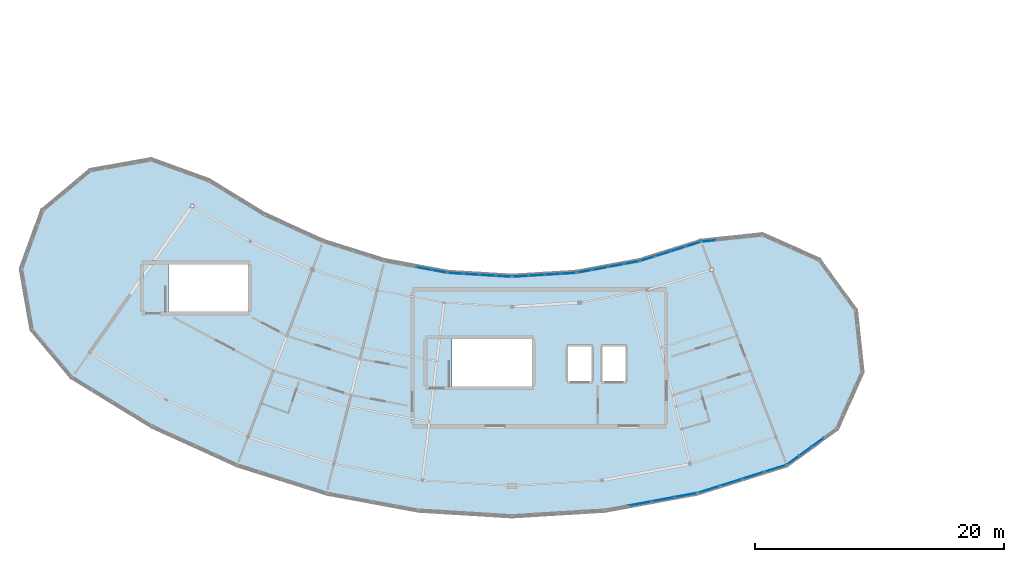
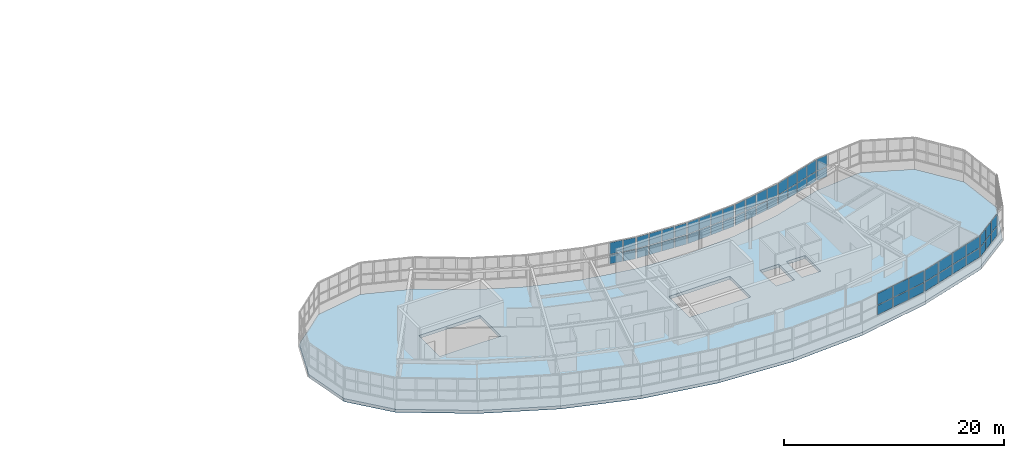
# One storey, part 39 of 60: 58 plates, 1 slab, 9 elements without a shape of their own.
"""IFC4 building model written with IfcOpenShell, lengths in metres."""

from ifc_helpers import new_model, si_unit, direction, frame, origin, origin_2d, place, context, subcontext, project, spatial, polyline, rectangle, outline, extrude, material, layer, layer_set, type_object, element, aggregate, save


model = new_model("IFC4")

# Units and contexts
model_context = context("Model", 3, precision=1e-05, world=origin(), true_north=direction((0.0, 1.0)))
body_context = subcontext(model_context, "Body", "Model", "MODEL_VIEW")
ifc_project = project(units=[si_unit("LENGTHUNIT", "METRE"), si_unit("AREAUNIT", "SQUARE_METRE"), si_unit("VOLUMEUNIT", "CUBIC_METRE"), si_unit("PLANEANGLEUNIT", "RADIAN"), si_unit("MASSUNIT", "GRAM", prefix="KILO")], contexts=[model_context])

# Site, building, storey
site_placement = place(None, origin())
site = spatial("IfcSite", under=ifc_project, at=site_placement, CompositionType="ELEMENT")
building_placement = place(site_placement, origin())
building = spatial("IfcBuilding", under=site, at=building_placement, Name="Tarnwether General Hospital", CompositionType="ELEMENT")
storey_placement = place(building_placement, frame((0.0, 0.0, 26.10009765625)))
storey = spatial("IfcBuildingStorey", under=building, at=storey_placement, Name="L06", CompositionType="ELEMENT", Elevation=26.10009765625)

# Curtain wall, plates
ifc_material_1 = material(Name="Anodised aluminium", Category="aluminium")
ifc_layer_1 = layer(ifc_material_1, 0.179931640625)
ifc_layer_set_1 = layer_set([ifc_layer_1], Name="Anodised aluminium")
curtain_wall_type_1 = type_object("IfcCurtainWallType", Name="CW-11", PredefinedType="NOTDEFINED", material=ifc_layer_set_1)
curtain_wall_1_placement = place(storey_placement, origin())
curtain_wall_1 = element("IfcCurtainWall", 1, at=curtain_wall_1_placement, inside=storey, type_object=curtain_wall_type_1, Name="Curtain Wall CWG-L06-1141_55-0252", PredefinedType="NOTDEFINED")
ifc_material_2 = material(Name="Double glazed low-E glass", Category="glass")
ifc_layer_2 = layer(ifc_material_2, 0.028076171875)
ifc_layer_set_2 = layer_set([ifc_layer_2], Name="Double glazed low-E glass")
plate_type_1 = type_object("IfcPlateType", Name="PT-CWP1", PredefinedType="CURTAIN_PANEL", material=ifc_layer_set_2)
plate_1_placement = place(storey_placement, frame((113.1591796875, 5.202392578125, 1.1298828125), z_axis=(0.0, 0.0, 1.0), x_axis=(-0.953741284032, -0.300628613299, 0.0)))
plate_1 = element("IfcPlate", 2, at=plate_1_placement, type_object=plate_type_1, Name="CW-11 panel 1.1", PredefinedType="CURTAIN_PANEL", context=body_context, shape_type="SweptSolid", body=[
    extrude(rectangle(XDim=1.76025390625, YDim=0.028076171875, at=origin_2d()), origin(), (0.0, 0.0, 1.0), 1.002685546875),
])
plate_2_placement = place(storey_placement, frame((113.1591796875, 5.202392578125, 2.212890625), z_axis=(0.0, 0.0, 1.0), x_axis=(-0.953741284032, -0.300628613299, 0.0)))
plate_2 = element("IfcPlate", 3, at=plate_2_placement, type_object=plate_type_1, Name="CW-11 panel 1.2", PredefinedType="CURTAIN_PANEL", context=body_context, shape_type="SweptSolid", body=[
    extrude(rectangle(XDim=1.76025390625, YDim=0.028076171875, at=origin_2d()), origin(), (0.0, 0.0, 1.0), 1.252197265625),
])
plate_3_placement = place(storey_placement, frame((111.385009765625, 4.64306640625, 1.1298828125), z_axis=(0.0, 0.0, 1.0), x_axis=(-0.953741284032, -0.300628613299, 0.0)))
plate_3 = element("IfcPlate", 4, at=plate_3_placement, type_object=plate_type_1, Name="CW-11 panel 2.1", PredefinedType="CURTAIN_PANEL", context=body_context, shape_type="SweptSolid", body=[
    extrude(rectangle(XDim=1.80029296875, YDim=0.028076171875, at=origin_2d()), origin(), (0.0, 0.0, 1.0), 1.002685546875),
])
plate_4_placement = place(storey_placement, frame((111.385009765625, 4.64306640625, 2.212890625), z_axis=(0.0, 0.0, 1.0), x_axis=(-0.953741284032, -0.300628613299, 0.0)))
plate_4 = element("IfcPlate", 5, at=plate_4_placement, type_object=plate_type_1, Name="CW-11 panel 2.2", PredefinedType="CURTAIN_PANEL", context=body_context, shape_type="SweptSolid", body=[
    extrude(rectangle(XDim=1.80029296875, YDim=0.028076171875, at=origin_2d()), origin(), (0.0, 0.0, 1.0), 1.252197265625),
])
plate_5_placement = place(storey_placement, frame((109.591796875, 4.077880859375, 1.1298828125), z_axis=(0.0, 0.0, 1.0), x_axis=(-0.953741284032, -0.300628613299, 0.0)))
plate_5 = element("IfcPlate", 6, at=plate_5_placement, type_object=plate_type_1, Name="CW-11 panel 3.1", PredefinedType="CURTAIN_PANEL", context=body_context, shape_type="SweptSolid", body=[
    extrude(rectangle(XDim=1.80029296875, YDim=0.028076171875, at=origin_2d()), origin(), (0.0, 0.0, 1.0), 1.002685546875),
])
plate_6_placement = place(storey_placement, frame((109.591796875, 4.077880859375, 2.212890625), z_axis=(0.0, 0.0, 1.0), x_axis=(-0.953741284032, -0.300628613299, 0.0)))
plate_6 = element("IfcPlate", 7, at=plate_6_placement, type_object=plate_type_1, Name="CW-11 panel 3.2", PredefinedType="CURTAIN_PANEL", context=body_context, shape_type="SweptSolid", body=[
    extrude(rectangle(XDim=1.80029296875, YDim=0.028076171875, at=origin_2d()), origin(), (0.0, 0.0, 1.0), 1.252197265625),
])
plate_7_placement = place(storey_placement, frame((107.817626953125, 3.5185546875, 1.1298828125), z_axis=(0.0, 0.0, 1.0), x_axis=(-0.953741284032, -0.300628613299, 0.0)))
plate_7 = element("IfcPlate", 8, at=plate_7_placement, type_object=plate_type_1, Name="CW-11 panel 4.1", PredefinedType="CURTAIN_PANEL", context=body_context, shape_type="SweptSolid", body=[
    extrude(rectangle(XDim=1.76025390625, YDim=0.028076171875, at=origin_2d()), origin(), (0.0, 0.0, 1.0), 1.002685546875),
])
plate_8_placement = place(storey_placement, frame((107.817626953125, 3.5185546875, 2.212890625), z_axis=(0.0, 0.0, 1.0), x_axis=(-0.953741284032, -0.300628613299, 0.0)))
plate_8 = element("IfcPlate", 9, at=plate_8_placement, type_object=plate_type_1, Name="CW-11 panel 4.2", PredefinedType="CURTAIN_PANEL", context=body_context, shape_type="SweptSolid", body=[
    extrude(rectangle(XDim=1.76025390625, YDim=0.028076171875, at=origin_2d()), origin(), (0.0, 0.0, 1.0), 1.252197265625),
])
aggregate(curtain_wall_1, [plate_1, plate_2, plate_3, plate_4, plate_5, plate_6, plate_7, plate_8])

ifc_material_3 = material(Name="Anodised aluminium", Category="aluminium")
ifc_layer_3 = layer(ifc_material_3, 0.159912109375)
ifc_layer_set_3 = layer_set([ifc_layer_3], Name="Anodised aluminium")
curtain_wall_type_2 = type_object("IfcCurtainWallType", Name="CW-03", PredefinedType="NOTDEFINED", material=ifc_layer_set_3)
curtain_wall_2_placement = place(storey_placement, origin())
curtain_wall_2 = element("IfcCurtainWall", 10, at=curtain_wall_2_placement, inside=storey, type_object=curtain_wall_type_2, Name="Curtain Wall CWG-L06-1181_84-0253", PredefinedType="NOTDEFINED")
plate_9_placement = place(storey_placement, frame((116.588134765625, 7.316650390625, 1.10986328125), z_axis=(0.0, 0.0, 1.0), x_axis=(-0.809057896173, -0.587728951677, 0.0)))
plate_9 = element("IfcPlate", 11, at=plate_9_placement, type_object=plate_type_1, Name="CW-03 panel 2.1", PredefinedType="CURTAIN_PANEL", context=body_context, shape_type="SweptSolid", body=[
    extrude(rectangle(XDim=1.182373046875, YDim=0.028076171875, at=origin_2d()), origin(), (0.0, 0.0, 1.0), 1.03271484375),
])
plate_10_placement = place(storey_placement, frame((116.588134765625, 7.316650390625, 2.20263671875), z_axis=(0.0, 0.0, 1.0), x_axis=(-0.809057896173, -0.587728951677, 0.0)))
plate_10 = element("IfcPlate", 12, at=plate_10_placement, type_object=plate_type_1, Name="CW-03 panel 2.2", PredefinedType="CURTAIN_PANEL", context=body_context, shape_type="SweptSolid", body=[
    extrude(rectangle(XDim=1.182373046875, YDim=0.028076171875, at=origin_2d()), origin(), (0.0, 0.0, 1.0), 1.2822265625),
])
plate_11_placement = place(storey_placement, frame((115.582763671875, 6.58642578125, 1.10986328125), z_axis=(0.0, 0.0, 1.0), x_axis=(-0.809057896173, -0.587728951677, 0.0)))
plate_11 = element("IfcPlate", 13, at=plate_11_placement, type_object=plate_type_1, Name="CW-03 panel 3.1", PredefinedType="CURTAIN_PANEL", context=body_context, shape_type="SweptSolid", body=[
    extrude(rectangle(XDim=1.182373046875, YDim=0.028076171875, at=origin_2d()), origin(), (0.0, 0.0, 1.0), 1.03271484375),
])
plate_12_placement = place(storey_placement, frame((115.582763671875, 6.58642578125, 2.20263671875), z_axis=(0.0, 0.0, 1.0), x_axis=(-0.809057896173, -0.587728951677, 0.0)))
plate_12 = element("IfcPlate", 14, at=plate_12_placement, type_object=plate_type_1, Name="CW-03 panel 3.2", PredefinedType="CURTAIN_PANEL", context=body_context, shape_type="SweptSolid", body=[
    extrude(rectangle(XDim=1.182373046875, YDim=0.028076171875, at=origin_2d()), origin(), (0.0, 0.0, 1.0), 1.2822265625),
])
plate_13_placement = place(storey_placement, frame((114.58984375, 5.864990234375, 1.10986328125), z_axis=(0.0, 0.0, 1.0), x_axis=(-0.809057896173, -0.587728951677, 0.0)))
plate_13 = element("IfcPlate", 15, at=plate_13_placement, type_object=plate_type_1, Name="CW-03 panel 4.1", PredefinedType="CURTAIN_PANEL", context=body_context, shape_type="SweptSolid", body=[
    extrude(rectangle(XDim=1.152587890625, YDim=0.028076171875, at=origin_2d()), origin(), (0.0, 0.0, 1.0), 1.03271484375),
])
plate_14_placement = place(storey_placement, frame((114.58984375, 5.864990234375, 2.20263671875), z_axis=(0.0, 0.0, 1.0), x_axis=(-0.809057896173, -0.587728951677, 0.0)))
plate_14 = element("IfcPlate", 16, at=plate_14_placement, type_object=plate_type_1, Name="CW-03 panel 4.2", PredefinedType="CURTAIN_PANEL", context=body_context, shape_type="SweptSolid", body=[
    extrude(rectangle(XDim=1.152587890625, YDim=0.028076171875, at=origin_2d()), origin(), (0.0, 0.0, 1.0), 1.2822265625),
])
aggregate(curtain_wall_2, [plate_9, plate_10, plate_11, plate_12, plate_13, plate_14])

curtain_wall_3_placement = place(storey_placement, origin())
curtain_wall_3 = element("IfcCurtainWall", 17, at=curtain_wall_3_placement, inside=storey, type_object=curtain_wall_type_2, Name="Curtain Wall CWG-L06-1072_234-0258", PredefinedType="NOTDEFINED")
plate_15_placement = place(storey_placement, frame((107.830078125, 23.48291015625, 1.1201171875), z_axis=(0.0, 0.0, 1.0), x_axis=(0.994509862698, 0.104642883163, 0.0)))
plate_15 = element("IfcPlate", 18, at=plate_15_placement, type_object=plate_type_1, Name="CW-03 panel 1.1", PredefinedType="CURTAIN_PANEL", context=body_context, shape_type="SweptSolid", body=[
    extrude(rectangle(XDim=1.13720703125, YDim=0.028076171875, at=origin_2d()), origin(), (0.0, 0.0, 1.0), 1.017822265625),
])
plate_16_placement = place(storey_placement, frame((107.830078125, 23.48291015625, 2.207763671875), z_axis=(0.0, 0.0, 1.0), x_axis=(0.994509862698, 0.104642883163, 0.0)))
plate_16 = element("IfcPlate", 19, at=plate_16_placement, type_object=plate_type_1, Name="CW-03 panel 1.2", PredefinedType="CURTAIN_PANEL", context=body_context, shape_type="SweptSolid", body=[
    extrude(rectangle(XDim=1.13720703125, YDim=0.028076171875, at=origin_2d()), origin(), (0.0, 0.0, 1.0), 1.26708984375),
])
aggregate(curtain_wall_3, [plate_15, plate_16])

curtain_wall_4_placement = place(storey_placement, origin())
curtain_wall_4 = element("IfcCurtainWall", 20, at=curtain_wall_4_placement, inside=storey, type_object=curtain_wall_type_2, Name="Curtain Wall CWG-L06-1023_219-0259", PredefinedType="NOTDEFINED")
plate_17_placement = place(storey_placement, frame((102.8896484375, 22.05859375, 1.11474609375), z_axis=(0.0, 0.0, 1.0), x_axis=(0.953713927508, 0.30071538783, 0.0)))
plate_17 = element("IfcPlate", 21, at=plate_17_placement, type_object=plate_type_1, Name="CW-03 panel 1.1", PredefinedType="CURTAIN_PANEL", context=body_context, shape_type="SweptSolid", body=[
    extrude(rectangle(XDim=1.197021484375, YDim=0.028076171875, at=origin_2d()), origin(), (0.0, 0.0, 1.0), 1.025390625),
])
plate_18_placement = place(storey_placement, frame((102.8896484375, 22.05859375, 2.205078125), z_axis=(0.0, 0.0, 1.0), x_axis=(0.953713927508, 0.30071538783, 0.0)))
plate_18 = element("IfcPlate", 22, at=plate_18_placement, type_object=plate_type_1, Name="CW-03 panel 1.2", PredefinedType="CURTAIN_PANEL", context=body_context, shape_type="SweptSolid", body=[
    extrude(rectangle(XDim=1.197021484375, YDim=0.028076171875, at=origin_2d()), origin(), (0.0, 0.0, 1.0), 1.274658203125),
])
plate_19_placement = place(storey_placement, frame((104.108642578125, 22.44287109375, 1.11474609375), z_axis=(0.0, 0.0, 1.0), x_axis=(0.953713927508, 0.30071538783, 0.0)))
plate_19 = element("IfcPlate", 23, at=plate_19_placement, type_object=plate_type_1, Name="CW-03 panel 2.1", PredefinedType="CURTAIN_PANEL", context=body_context, shape_type="SweptSolid", body=[
    extrude(rectangle(XDim=1.2294921875, YDim=0.028076171875, at=origin_2d()), origin(), (0.0, 0.0, 1.0), 1.025390625),
])
plate_20_placement = place(storey_placement, frame((104.108642578125, 22.44287109375, 2.205078125), z_axis=(0.0, 0.0, 1.0), x_axis=(0.953713927508, 0.30071538783, 0.0)))
plate_20 = element("IfcPlate", 24, at=plate_20_placement, type_object=plate_type_1, Name="CW-03 panel 2.2", PredefinedType="CURTAIN_PANEL", context=body_context, shape_type="SweptSolid", body=[
    extrude(rectangle(XDim=1.2294921875, YDim=0.028076171875, at=origin_2d()), origin(), (0.0, 0.0, 1.0), 1.274658203125),
])
plate_21_placement = place(storey_placement, frame((105.34326171875, 22.83203125, 1.11474609375), z_axis=(0.0, 0.0, 1.0), x_axis=(0.953713927508, 0.30071538783, 0.0)))
plate_21 = element("IfcPlate", 25, at=plate_21_placement, type_object=plate_type_1, Name="CW-03 panel 3.1", PredefinedType="CURTAIN_PANEL", context=body_context, shape_type="SweptSolid", body=[
    extrude(rectangle(XDim=1.2294921875, YDim=0.028076171875, at=origin_2d()), origin(), (0.0, 0.0, 1.0), 1.025390625),
])
plate_22_placement = place(storey_placement, frame((105.34326171875, 22.83203125, 2.205078125), z_axis=(0.0, 0.0, 1.0), x_axis=(0.953713927508, 0.30071538783, 0.0)))
plate_22 = element("IfcPlate", 26, at=plate_22_placement, type_object=plate_type_1, Name="CW-03 panel 3.2", PredefinedType="CURTAIN_PANEL", context=body_context, shape_type="SweptSolid", body=[
    extrude(rectangle(XDim=1.2294921875, YDim=0.028076171875, at=origin_2d()), origin(), (0.0, 0.0, 1.0), 1.274658203125),
])
plate_23_placement = place(storey_placement, frame((106.562255859375, 23.216552734375, 1.11474609375), z_axis=(0.0, 0.0, 1.0), x_axis=(0.953713927508, 0.30071538783, 0.0)))
plate_23 = element("IfcPlate", 27, at=plate_23_placement, type_object=plate_type_1, Name="CW-03 panel 4.1", PredefinedType="CURTAIN_PANEL", context=body_context, shape_type="SweptSolid", body=[
    extrude(rectangle(XDim=1.197021484375, YDim=0.028076171875, at=origin_2d()), origin(), (0.0, 0.0, 1.0), 1.025390625),
])
plate_24_placement = place(storey_placement, frame((106.562255859375, 23.216552734375, 2.205078125), z_axis=(0.0, 0.0, 1.0), x_axis=(0.953713927508, 0.30071538783, 0.0)))
plate_24 = element("IfcPlate", 28, at=plate_24_placement, type_object=plate_type_1, Name="CW-03 panel 4.2", PredefinedType="CURTAIN_PANEL", context=body_context, shape_type="SweptSolid", body=[
    extrude(rectangle(XDim=1.197021484375, YDim=0.028076171875, at=origin_2d()), origin(), (0.0, 0.0, 1.0), 1.274658203125),
])
aggregate(curtain_wall_4, [plate_17, plate_18, plate_19, plate_20, plate_21, plate_22, plate_23, plate_24])

curtain_wall_5_placement = place(storey_placement, origin())
curtain_wall_5 = element("IfcCurtainWall", 29, at=curtain_wall_5_placement, inside=storey, type_object=curtain_wall_type_2, Name="Curtain Wall CWG-L06-920_206-0261", PredefinedType="NOTDEFINED")
plate_25_placement = place(storey_placement, frame((92.660888671875, 20.640380859375, 1.10986328125), z_axis=(0.0, 0.0, 1.0), x_axis=(0.998135119267, 0.06104329354, 0.0)))
plate_25 = element("IfcPlate", 30, at=plate_25_placement, type_object=plate_type_1, Name="CW-03 panel 1.1", PredefinedType="CURTAIN_PANEL", context=body_context, shape_type="SweptSolid", body=[
    extrude(rectangle(XDim=1.2041015625, YDim=0.028076171875, at=origin_2d()), origin(), (0.0, 0.0, 1.0), 1.03271484375),
])
plate_26_placement = place(storey_placement, frame((92.660888671875, 20.640380859375, 2.20263671875), z_axis=(0.0, 0.0, 1.0), x_axis=(0.998135119267, 0.06104329354, 0.0)))
plate_26 = element("IfcPlate", 31, at=plate_26_placement, type_object=plate_type_1, Name="CW-03 panel 1.2", PredefinedType="CURTAIN_PANEL", context=body_context, shape_type="SweptSolid", body=[
    extrude(rectangle(XDim=1.2041015625, YDim=0.028076171875, at=origin_2d()), origin(), (0.0, 0.0, 1.0), 1.2822265625),
])
plate_27_placement = place(storey_placement, frame((93.937744140625, 20.718505859375, 1.10986328125), z_axis=(0.0, 0.0, 1.0), x_axis=(0.998135119267, 0.06104329354, 0.0)))
plate_27 = element("IfcPlate", 32, at=plate_27_placement, type_object=plate_type_1, Name="CW-03 panel 2.1", PredefinedType="CURTAIN_PANEL", context=body_context, shape_type="SweptSolid", body=[
    extrude(rectangle(XDim=1.234130859375, YDim=0.028076171875, at=origin_2d()), origin(), (0.0, 0.0, 1.0), 1.03271484375),
])
plate_28_placement = place(storey_placement, frame((93.937744140625, 20.718505859375, 2.20263671875), z_axis=(0.0, 0.0, 1.0), x_axis=(0.998135119267, 0.06104329354, 0.0)))
plate_28 = element("IfcPlate", 33, at=plate_28_placement, type_object=plate_type_1, Name="CW-03 panel 2.2", PredefinedType="CURTAIN_PANEL", context=body_context, shape_type="SweptSolid", body=[
    extrude(rectangle(XDim=1.234130859375, YDim=0.028076171875, at=origin_2d()), origin(), (0.0, 0.0, 1.0), 1.2822265625),
])
plate_29_placement = place(storey_placement, frame((95.2294921875, 20.797607421875, 1.10986328125), z_axis=(0.0, 0.0, 1.0), x_axis=(0.998135119267, 0.06104329354, 0.0)))
plate_29 = element("IfcPlate", 34, at=plate_29_placement, type_object=plate_type_1, Name="CW-03 panel 3.1", PredefinedType="CURTAIN_PANEL", context=body_context, shape_type="SweptSolid", body=[
    extrude(rectangle(XDim=1.234130859375, YDim=0.028076171875, at=origin_2d()), origin(), (0.0, 0.0, 1.0), 1.03271484375),
])
plate_30_placement = place(storey_placement, frame((95.2294921875, 20.797607421875, 2.20263671875), z_axis=(0.0, 0.0, 1.0), x_axis=(0.998135119267, 0.06104329354, 0.0)))
plate_30 = element("IfcPlate", 35, at=plate_30_placement, type_object=plate_type_1, Name="CW-03 panel 3.2", PredefinedType="CURTAIN_PANEL", context=body_context, shape_type="SweptSolid", body=[
    extrude(rectangle(XDim=1.234130859375, YDim=0.028076171875, at=origin_2d()), origin(), (0.0, 0.0, 1.0), 1.2822265625),
])
plate_31_placement = place(storey_placement, frame((96.506103515625, 20.87548828125, 1.10986328125), z_axis=(0.0, 0.0, 1.0), x_axis=(0.998135119267, 0.06104329354, 0.0)))
plate_31 = element("IfcPlate", 36, at=plate_31_placement, type_object=plate_type_1, Name="CW-03 panel 4.1", PredefinedType="CURTAIN_PANEL", context=body_context, shape_type="SweptSolid", body=[
    extrude(rectangle(XDim=1.2041015625, YDim=0.028076171875, at=origin_2d()), origin(), (0.0, 0.0, 1.0), 1.03271484375),
])
plate_32_placement = place(storey_placement, frame((96.506103515625, 20.87548828125, 2.20263671875), z_axis=(0.0, 0.0, 1.0), x_axis=(0.998135119267, 0.06104329354, 0.0)))
plate_32 = element("IfcPlate", 37, at=plate_32_placement, type_object=plate_type_1, Name="CW-03 panel 4.2", PredefinedType="CURTAIN_PANEL", context=body_context, shape_type="SweptSolid", body=[
    extrude(rectangle(XDim=1.2041015625, YDim=0.028076171875, at=origin_2d()), origin(), (0.0, 0.0, 1.0), 1.2822265625),
])
aggregate(curtain_wall_5, [plate_25, plate_26, plate_27, plate_28, plate_29, plate_30, plate_31, plate_32])

curtain_wall_6_placement = place(storey_placement, origin())
curtain_wall_6 = element("IfcCurtainWall", 38, at=curtain_wall_6_placement, inside=storey, type_object=curtain_wall_type_2, Name="Curtain Wall CWG-L06-868_209-0262", PredefinedType="NOTDEFINED")
plate_33_placement = place(storey_placement, frame((87.496337890625, 20.87548828125, 1.1201171875), z_axis=(0.0, 0.0, 1.0), x_axis=(0.998135119267, -0.06104329354, 0.0)))
plate_33 = element("IfcPlate", 39, at=plate_33_placement, type_object=plate_type_1, Name="CW-03 panel 1.1", PredefinedType="CURTAIN_PANEL", context=body_context, shape_type="SweptSolid", body=[
    extrude(rectangle(XDim=1.189208984375, YDim=0.028076171875, at=origin_2d()), origin(), (0.0, 0.0, 1.0), 1.017822265625),
])
plate_34_placement = place(storey_placement, frame((87.496337890625, 20.87548828125, 2.207763671875), z_axis=(0.0, 0.0, 1.0), x_axis=(0.998135119267, -0.06104329354, 0.0)))
plate_34 = element("IfcPlate", 40, at=plate_34_placement, type_object=plate_type_1, Name="CW-03 panel 1.2", PredefinedType="CURTAIN_PANEL", context=body_context, shape_type="SweptSolid", body=[
    extrude(rectangle(XDim=1.189208984375, YDim=0.028076171875, at=origin_2d()), origin(), (0.0, 0.0, 1.0), 1.26708984375),
])
plate_35_placement = place(storey_placement, frame((88.7705078125, 20.797607421875, 1.1201171875), z_axis=(0.0, 0.0, 1.0), x_axis=(0.998135119267, -0.06104329354, 0.0)))
plate_35 = element("IfcPlate", 41, at=plate_35_placement, type_object=plate_type_1, Name="CW-03 panel 2.1", PredefinedType="CURTAIN_PANEL", context=body_context, shape_type="SweptSolid", body=[
    extrude(rectangle(XDim=1.22412109375, YDim=0.028076171875, at=origin_2d()), origin(), (0.0, 0.0, 1.0), 1.017822265625),
])
plate_36_placement = place(storey_placement, frame((88.7705078125, 20.797607421875, 2.207763671875), z_axis=(0.0, 0.0, 1.0), x_axis=(0.998135119267, -0.06104329354, 0.0)))
plate_36 = element("IfcPlate", 42, at=plate_36_placement, type_object=plate_type_1, Name="CW-03 panel 2.2", PredefinedType="CURTAIN_PANEL", context=body_context, shape_type="SweptSolid", body=[
    extrude(rectangle(XDim=1.22412109375, YDim=0.028076171875, at=origin_2d()), origin(), (0.0, 0.0, 1.0), 1.26708984375),
])
plate_37_placement = place(storey_placement, frame((90.062255859375, 20.718505859375, 1.1201171875), z_axis=(0.0, 0.0, 1.0), x_axis=(0.998135119267, -0.06104329354, 0.0)))
plate_37 = element("IfcPlate", 43, at=plate_37_placement, type_object=plate_type_1, Name="CW-03 panel 3.1", PredefinedType="CURTAIN_PANEL", context=body_context, shape_type="SweptSolid", body=[
    extrude(rectangle(XDim=1.22412109375, YDim=0.028076171875, at=origin_2d()), origin(), (0.0, 0.0, 1.0), 1.017822265625),
])
plate_38_placement = place(storey_placement, frame((90.062255859375, 20.718505859375, 2.207763671875), z_axis=(0.0, 0.0, 1.0), x_axis=(0.998135119267, -0.06104329354, 0.0)))
plate_38 = element("IfcPlate", 44, at=plate_38_placement, type_object=plate_type_1, Name="CW-03 panel 3.2", PredefinedType="CURTAIN_PANEL", context=body_context, shape_type="SweptSolid", body=[
    extrude(rectangle(XDim=1.22412109375, YDim=0.028076171875, at=origin_2d()), origin(), (0.0, 0.0, 1.0), 1.26708984375),
])
plate_39_placement = place(storey_placement, frame((91.336669921875, 20.640625, 1.1201171875), z_axis=(0.0, 0.0, 1.0), x_axis=(0.998135119267, -0.06104329354, 0.0)))
plate_39 = element("IfcPlate", 45, at=plate_39_placement, type_object=plate_type_1, Name="CW-03 panel 4.1", PredefinedType="CURTAIN_PANEL", context=body_context, shape_type="SweptSolid", body=[
    extrude(rectangle(XDim=1.189208984375, YDim=0.028076171875, at=origin_2d()), origin(), (0.0, 0.0, 1.0), 1.017822265625),
])
plate_40_placement = place(storey_placement, frame((91.336669921875, 20.640625, 2.207763671875), z_axis=(0.0, 0.0, 1.0), x_axis=(0.998135119267, -0.06104329354, 0.0)))
plate_40 = element("IfcPlate", 46, at=plate_40_placement, type_object=plate_type_1, Name="CW-03 panel 4.2", PredefinedType="CURTAIN_PANEL", context=body_context, shape_type="SweptSolid", body=[
    extrude(rectangle(XDim=1.189208984375, YDim=0.028076171875, at=origin_2d()), origin(), (0.0, 0.0, 1.0), 1.26708984375),
])
aggregate(curtain_wall_6, [plate_33, plate_34, plate_35, plate_36, plate_37, plate_38, plate_39, plate_40])

curtain_wall_7_placement = place(storey_placement, origin())
curtain_wall_7 = element("IfcCurtainWall", 47, at=curtain_wall_7_placement, inside=storey, type_object=curtain_wall_type_1, Name="Curtain Wall CWG-L06-1069_32-0251", PredefinedType="NOTDEFINED")
ifc_material_4 = material(Name="Double glazed low-E glass", Category="glass")
ifc_layer_4 = layer(ifc_material_4, 0.035888671875)
ifc_layer_set_4 = layer_set([ifc_layer_4], Name="Double glazed low-E glass")
plate_type_2 = type_object("IfcPlateType", Name="PT-CWP2", PredefinedType="CURTAIN_PANEL", material=ifc_layer_set_4)
plate_41_placement = place(storey_placement, frame((105.961669921875, 3.0556640625, 1.11474609375), z_axis=(0.0, 0.0, 1.0), x_axis=(-0.983244953132, -0.182289226614, 0.0)))
plate_41 = element("IfcPlate", 48, at=plate_41_placement, type_object=plate_type_2, Name="CW-11 panel 1.1", PredefinedType="CURTAIN_PANEL", context=body_context, shape_type="SweptSolid", body=[
    extrude(rectangle(XDim=1.78271484375, YDim=0.035888671875, at=origin_2d()), origin(), (0.0, 0.0, 1.0), 1.025390625),
])
plate_42_placement = place(storey_placement, frame((105.961669921875, 3.0556640625, 2.205078125), z_axis=(0.0, 0.0, 1.0), x_axis=(-0.983244953132, -0.182289226614, 0.0)))
plate_42 = element("IfcPlate", 49, at=plate_42_placement, type_object=plate_type_2, Name="CW-11 panel 1.2", PredefinedType="CURTAIN_PANEL", context=body_context, shape_type="SweptSolid", body=[
    extrude(rectangle(XDim=1.78271484375, YDim=0.035888671875, at=origin_2d()), origin(), (0.0, 0.0, 1.0), 1.274658203125),
])
plate_43_placement = place(storey_placement, frame((104.12890625, 2.7158203125, 1.11474609375), z_axis=(0.0, 0.0, 1.0), x_axis=(-0.983244953132, -0.182289226614, 0.0)))
plate_43 = element("IfcPlate", 50, at=plate_43_placement, type_object=plate_type_2, Name="CW-11 panel 2.1", PredefinedType="CURTAIN_PANEL", context=body_context, shape_type="SweptSolid", body=[
    extrude(rectangle(XDim=1.815185546875, YDim=0.035888671875, at=origin_2d()), origin(), (0.0, 0.0, 1.0), 1.025390625),
])
plate_44_placement = place(storey_placement, frame((104.12890625, 2.7158203125, 2.205078125), z_axis=(0.0, 0.0, 1.0), x_axis=(-0.983244953132, -0.182289226614, 0.0)))
plate_44 = element("IfcPlate", 51, at=plate_44_placement, type_object=plate_type_2, Name="CW-11 panel 2.2", PredefinedType="CURTAIN_PANEL", context=body_context, shape_type="SweptSolid", body=[
    extrude(rectangle(XDim=1.815185546875, YDim=0.035888671875, at=origin_2d()), origin(), (0.0, 0.0, 1.0), 1.274658203125),
])
plate_45_placement = place(storey_placement, frame((102.280029296875, 2.373046875, 1.11474609375), z_axis=(0.0, 0.0, 1.0), x_axis=(-0.983244953132, -0.182289226614, 0.0)))
plate_45 = element("IfcPlate", 52, at=plate_45_placement, type_object=plate_type_2, Name="CW-11 panel 3.1", PredefinedType="CURTAIN_PANEL", context=body_context, shape_type="SweptSolid", body=[
    extrude(rectangle(XDim=1.815185546875, YDim=0.035888671875, at=origin_2d()), origin(), (0.0, 0.0, 1.0), 1.025390625),
])
plate_46_placement = place(storey_placement, frame((102.280029296875, 2.373046875, 2.205078125), z_axis=(0.0, 0.0, 1.0), x_axis=(-0.983244953132, -0.182289226614, 0.0)))
plate_46 = element("IfcPlate", 53, at=plate_46_placement, type_object=plate_type_2, Name="CW-11 panel 3.2", PredefinedType="CURTAIN_PANEL", context=body_context, shape_type="SweptSolid", body=[
    extrude(rectangle(XDim=1.815185546875, YDim=0.035888671875, at=origin_2d()), origin(), (0.0, 0.0, 1.0), 1.274658203125),
])
aggregate(curtain_wall_7, [plate_41, plate_42, plate_43, plate_44, plate_45, plate_46])

curtain_wall_8_placement = place(storey_placement, origin())
curtain_wall_8 = element("IfcCurtainWall", 54, at=curtain_wall_8_placement, inside=storey, type_object=curtain_wall_type_2, Name="Curtain Wall CWG-L06-972_209-0260", PredefinedType="NOTDEFINED")
plate_47_placement = place(storey_placement, frame((97.822998046875, 21.03759765625, 1.1298828125), z_axis=(0.0, 0.0, 1.0), x_axis=(0.983267910924, 0.182165351666, 0.0)))
plate_47 = element("IfcPlate", 55, at=plate_47_placement, type_object=plate_type_2, Name="CW-03 panel 1.1", PredefinedType="CURTAIN_PANEL", context=body_context, shape_type="SweptSolid", body=[
    extrude(rectangle(XDim=1.174072265625, YDim=0.035888671875, at=origin_2d()), origin(), (0.0, 0.0, 1.0), 1.002685546875),
])
plate_48_placement = place(storey_placement, frame((97.822998046875, 21.03759765625, 2.212890625), z_axis=(0.0, 0.0, 1.0), x_axis=(0.983267910924, 0.182165351666, 0.0)))
plate_48 = element("IfcPlate", 56, at=plate_48_placement, type_object=plate_type_2, Name="CW-03 panel 1.2", PredefinedType="CURTAIN_PANEL", context=body_context, shape_type="SweptSolid", body=[
    extrude(rectangle(XDim=1.174072265625, YDim=0.035888671875, at=origin_2d()), origin(), (0.0, 0.0, 1.0), 1.252197265625),
])
plate_49_placement = place(storey_placement, frame((99.07568359375, 21.26953125, 1.1298828125), z_axis=(0.0, 0.0, 1.0), x_axis=(0.983267910924, 0.182165351666, 0.0)))
plate_49 = element("IfcPlate", 57, at=plate_49_placement, type_object=plate_type_2, Name="CW-03 panel 2.1", PredefinedType="CURTAIN_PANEL", context=body_context, shape_type="SweptSolid", body=[
    extrude(rectangle(XDim=1.214111328125, YDim=0.035888671875, at=origin_2d()), origin(), (0.0, 0.0, 1.0), 1.002685546875),
])
plate_50_placement = place(storey_placement, frame((99.07568359375, 21.26953125, 2.212890625), z_axis=(0.0, 0.0, 1.0), x_axis=(0.983267910924, 0.182165351666, 0.0)))
plate_50 = element("IfcPlate", 58, at=plate_50_placement, type_object=plate_type_2, Name="CW-03 panel 2.2", PredefinedType="CURTAIN_PANEL", context=body_context, shape_type="SweptSolid", body=[
    extrude(rectangle(XDim=1.214111328125, YDim=0.035888671875, at=origin_2d()), origin(), (0.0, 0.0, 1.0), 1.252197265625),
])
plate_51_placement = place(storey_placement, frame((100.34814453125, 21.50537109375, 1.1298828125), z_axis=(0.0, 0.0, 1.0), x_axis=(0.983267910924, 0.182165351666, 0.0)))
plate_51 = element("IfcPlate", 59, at=plate_51_placement, type_object=plate_type_2, Name="CW-03 panel 3.1", PredefinedType="CURTAIN_PANEL", context=body_context, shape_type="SweptSolid", body=[
    extrude(rectangle(XDim=1.214111328125, YDim=0.035888671875, at=origin_2d()), origin(), (0.0, 0.0, 1.0), 1.002685546875),
])
plate_52_placement = place(storey_placement, frame((100.34814453125, 21.50537109375, 2.212890625), z_axis=(0.0, 0.0, 1.0), x_axis=(0.983267910924, 0.182165351666, 0.0)))
plate_52 = element("IfcPlate", 60, at=plate_52_placement, type_object=plate_type_2, Name="CW-03 panel 3.2", PredefinedType="CURTAIN_PANEL", context=body_context, shape_type="SweptSolid", body=[
    extrude(rectangle(XDim=1.214111328125, YDim=0.035888671875, at=origin_2d()), origin(), (0.0, 0.0, 1.0), 1.252197265625),
])
plate_53_placement = place(storey_placement, frame((101.60107421875, 21.737548828125, 1.1298828125), z_axis=(0.0, 0.0, 1.0), x_axis=(0.983267910924, 0.182165351666, 0.0)))
plate_53 = element("IfcPlate", 61, at=plate_53_placement, type_object=plate_type_2, Name="CW-03 panel 4.1", PredefinedType="CURTAIN_PANEL", context=body_context, shape_type="SweptSolid", body=[
    extrude(rectangle(XDim=1.174072265625, YDim=0.035888671875, at=origin_2d()), origin(), (0.0, 0.0, 1.0), 1.002685546875),
])
plate_54_placement = place(storey_placement, frame((101.60107421875, 21.737548828125, 2.212890625), z_axis=(0.0, 0.0, 1.0), x_axis=(0.983267910924, 0.182165351666, 0.0)))
plate_54 = element("IfcPlate", 62, at=plate_54_placement, type_object=plate_type_2, Name="CW-03 panel 4.2", PredefinedType="CURTAIN_PANEL", context=body_context, shape_type="SweptSolid", body=[
    extrude(rectangle(XDim=1.174072265625, YDim=0.035888671875, at=origin_2d()), origin(), (0.0, 0.0, 1.0), 1.252197265625),
])
aggregate(curtain_wall_8, [plate_47, plate_48, plate_49, plate_50, plate_51, plate_52, plate_53, plate_54])

curtain_wall_9_placement = place(storey_placement, origin())
curtain_wall_9 = element("IfcCurtainWall", 63, at=curtain_wall_9_placement, inside=storey, type_object=curtain_wall_type_2, Name="Curtain Wall CWG-L06-817_219-0263", PredefinedType="NOTDEFINED")
plate_55_placement = place(storey_placement, frame((84.92431640625, 21.26953125, 1.11474609375), z_axis=(0.0, 0.0, 1.0), x_axis=(0.983267910924, -0.182165351666, 0.0)))
plate_55 = element("IfcPlate", 64, at=plate_55_placement, type_object=plate_type_2, Name="CW-03 panel 3.1", PredefinedType="CURTAIN_PANEL", context=body_context, shape_type="SweptSolid", body=[
    extrude(rectangle(XDim=1.229248046875, YDim=0.035888671875, at=origin_2d()), origin(), (0.0, 0.0, 1.0), 1.025390625),
])
plate_56_placement = place(storey_placement, frame((84.92431640625, 21.26953125, 2.205078125), z_axis=(0.0, 0.0, 1.0), x_axis=(0.983267910924, -0.182165351666, 0.0)))
plate_56 = element("IfcPlate", 65, at=plate_56_placement, type_object=plate_type_2, Name="CW-03 panel 3.2", PredefinedType="CURTAIN_PANEL", context=body_context, shape_type="SweptSolid", body=[
    extrude(rectangle(XDim=1.229248046875, YDim=0.035888671875, at=origin_2d()), origin(), (0.0, 0.0, 1.0), 1.274658203125),
])
plate_57_placement = place(storey_placement, frame((86.1806640625, 21.036865234375, 1.11474609375), z_axis=(0.0, 0.0, 1.0), x_axis=(0.983267910924, -0.182165351666, 0.0)))
plate_57 = element("IfcPlate", 66, at=plate_57_placement, type_object=plate_type_2, Name="CW-03 panel 4.1", PredefinedType="CURTAIN_PANEL", context=body_context, shape_type="SweptSolid", body=[
    extrude(rectangle(XDim=1.196533203125, YDim=0.035888671875, at=origin_2d()), origin(), (0.0, 0.0, 1.0), 1.025390625),
])
plate_58_placement = place(storey_placement, frame((86.1806640625, 21.036865234375, 2.205078125), z_axis=(0.0, 0.0, 1.0), x_axis=(0.983267910924, -0.182165351666, 0.0)))
plate_58 = element("IfcPlate", 67, at=plate_58_placement, type_object=plate_type_2, Name="CW-03 panel 4.2", PredefinedType="CURTAIN_PANEL", context=body_context, shape_type="SweptSolid", body=[
    extrude(rectangle(XDim=1.196533203125, YDim=0.035888671875, at=origin_2d()), origin(), (0.0, 0.0, 1.0), 1.274658203125),
])
aggregate(curtain_wall_9, [plate_55, plate_56, plate_57, plate_58])

# Slab
ifc_material_5 = material(Name="Concrete 40 MPa", Category="concrete")
ifc_layer_5 = layer(ifc_material_5, 0.340087890625)
ifc_layer_set_5 = layer_set([ifc_layer_5], Name="Concrete 40 MPa")
slab_type = type_object("IfcSlabType", Name="SL-FL180", PredefinedType="FLOOR", material=ifc_layer_set_5)
slab_placement = place(storey_placement, frame((0.0, 0.0, -0.340087890625)))
element("IfcSlab", 68, at=slab_placement, inside=storey, type_object=slab_type, Name="L06 South-East Maternity Ward Floor SL-L06-WSE", PredefinedType="FLOOR", context=body_context, shape_type="SweptSolid", body=[
    extrude(outline(polyline([(53.472900390625, 16.346923828125), (52.611083984375, 21.240966796875), (54.31005859375, 25.909912109375), (58.116943359375, 29.10498046875), (63.010986328125, 29.968017578125), (67.679931640625, 28.26806640625), (72.093994140625, 25.56298828125), (76.804931640625, 23.416015625), (81.742919921875, 21.85888671875), (86.8330078125, 20.916015625), (92.0, 20.60009765625), (97.1669921875, 20.916015625), (102.257080078125, 21.85888671875), (107.195068359375, 23.416015625), (112.136962890625, 23.93603515625), (116.677001953125, 21.9140625), (119.597900390625, 17.89404296875), (120.116943359375, 12.951904296875), (118.095947265625, 8.412109375), (114.074951171875, 5.490966796875), (106.902099609375, 3.22998046875), (99.507080078125, 1.85888671875), (92.0, 1.39990234375), (84.492919921875, 1.85888671875), (77.097900390625, 3.22998046875), (69.925048828125, 5.490966796875), (63.0810546875, 8.610107421875), (56.66796875, 12.5400390625), (53.472900390625, 16.346923828125)]), holes=[polyline([(96.469970703125, 15.030029296875), (96.469970703125, 12.169921875), (98.429931640625, 12.169921875), (98.429931640625, 15.030029296875), (96.469970703125, 15.030029296875)]), polyline([(99.219970703125, 15.030029296875), (99.219970703125, 12.169921875), (101.179931640625, 12.169921875), (101.179931640625, 15.030029296875), (99.219970703125, 15.030029296875)]), polyline([(87.179931640625, 15.60009765625), (87.179931640625, 11.800048828125), (93.60009765625, 11.800048828125), (93.60009765625, 15.60009765625), (87.179931640625, 15.60009765625)]), polyline([(64.3798828125, 21.60009765625), (64.3798828125, 17.800048828125), (70.800048828125, 17.800048828125), (70.800048828125, 21.60009765625), (64.3798828125, 21.60009765625)])]), origin(), (0.0, 0.0, 1.0), 0.340087890625),
])

save(model, "model.ifc")
